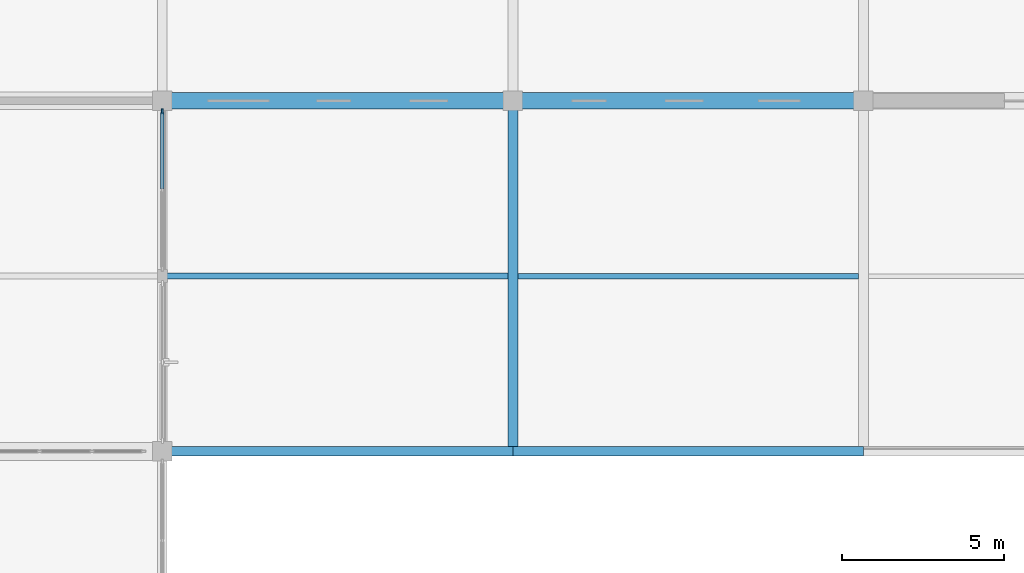
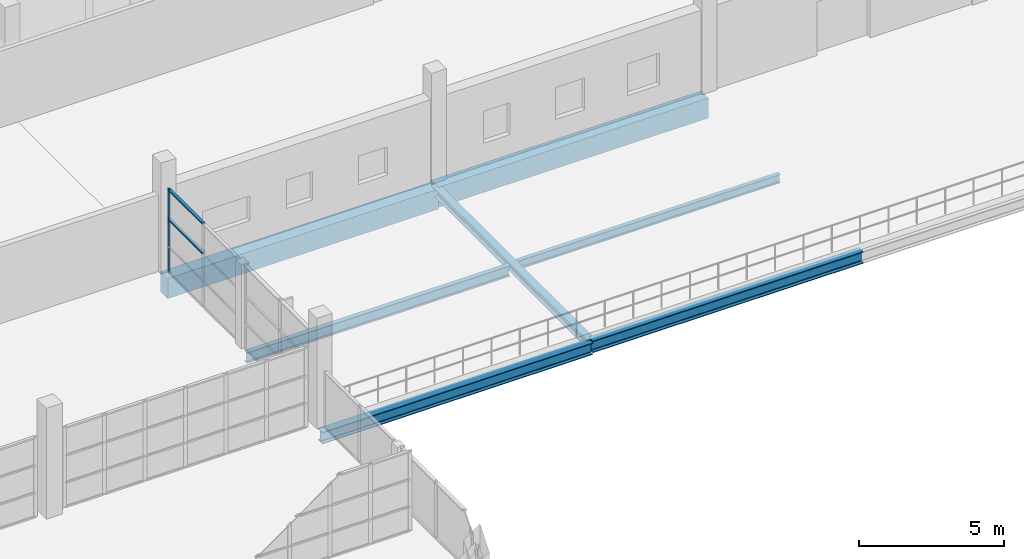
# One storey, part 76 of 142: 7 beams, 3 members, 1 element without a shape of its own.
"""IFC4 building model written with IfcOpenShell, lengths in metres."""

from ifc_helpers import new_model, si_unit, direction, frame, origin, origin_2d, place, context, subcontext, project, spatial, rectangle, i_section, extrude, material, material_profile, profile_set, type_object, element, aggregate, save


model = new_model("IFC4")

# Units and contexts
model_context = context("Model", 3, precision=1e-05, world=origin(), true_north=direction((0.0, 1.0)))
body_context = subcontext(model_context, "Body", "Model", "MODEL_VIEW")
ifc_project = project(units=[si_unit("LENGTHUNIT", "METRE"), si_unit("AREAUNIT", "SQUARE_METRE"), si_unit("VOLUMEUNIT", "CUBIC_METRE"), si_unit("PLANEANGLEUNIT", "RADIAN"), si_unit("MASSUNIT", "GRAM", prefix="KILO")], contexts=[model_context])

# Site, building, storey
site_placement = place(None, origin())
site = spatial("IfcSite", under=ifc_project, at=site_placement, CompositionType="ELEMENT")
building_placement = place(site_placement, origin())
building = spatial("IfcBuilding", under=site, at=building_placement, Name="Zwinboog Wholesale Market", CompositionType="ELEMENT")
storey_placement = place(building_placement, frame((0.0, 0.0, 5.39990234375)))
storey = spatial("IfcBuildingStorey", under=building, at=storey_placement, Name="L01", CompositionType="ELEMENT", Elevation=5.39990234375)

# Beams
ifc_material_1 = material(Name="Precast concrete C45/55", Category="concrete")
ifc_material_profile_1 = material_profile(ifc_material_1, rectangle(XDim=0.5, YDim=0.85009765625, at=origin_2d()), Name="PC 500x850")
ifc_profile_set_1 = profile_set([ifc_material_profile_1], Name="Precast concrete C45/55")
beam_type_1 = type_object("IfcBeamType", Name="BT-03", PredefinedType="BEAM", material=ifc_profile_set_1)
beam_1_placement = place(storey_placement, frame((172.800048828125, 108.0, -0.7568359375), z_axis=(1.0, 0.0, 0.0), x_axis=(0.0, 1.0, 0.0)))
element("IfcBeam", 1, at=beam_1_placement, inside=storey, type_object=beam_type_1, Name="BG-03 (BMG-L01-1728-1080-0557)", PredefinedType="BEAM", context=body_context, shape_type="SweptSolid", body=[
    extrude(rectangle(XDim=0.5, YDim=0.85009765625, at=origin_2d()), origin(), (0.0, 0.0, 1.0), 10.800048828125),
])
beam_2_placement = place(storey_placement, frame((183.60009765625, 108.0, -0.68701171875), z_axis=(1.0, 0.0, 0.0), x_axis=(0.0, 1.0, 0.0)))
element("IfcBeam", 2, at=beam_2_placement, inside=storey, type_object=beam_type_1, Name="BG-03 (BMG-L01-1836-1080-0558)", PredefinedType="BEAM", context=body_context, shape_type="SweptSolid", body=[
    extrude(rectangle(XDim=0.5, YDim=0.85009765625, at=origin_2d()), origin(), (0.0, 0.0, 1.0), 10.7998046875),
])
ifc_material_2 = material(Name="Steel S355", Category="steel")
ifc_material_profile_2 = material_profile(ifc_material_2, i_section(OverallWidth=0.300048828125, OverallDepth=0.5, WebThickness=0.014404296875, FlangeThickness=0.028076171875, FilletRadius=0.027099609375, at=origin_2d()), Name="HEB 500")
ifc_profile_set_2 = profile_set([ifc_material_profile_2], Name="Steel S355")
beam_type_2 = type_object("IfcBeamType", Name="BT-14", PredefinedType="BEAM", material=ifc_profile_set_2)
beam_3_placement = place(storey_placement, frame((172.800048828125, 97.199951171875, -0.581787109375), z_axis=(1.0, 0.0, 0.0), x_axis=(0.0, 1.0, 0.0)))
element("IfcBeam", 3, at=beam_3_placement, inside=storey, type_object=beam_type_2, Name="SB-01 (BM-TER-L01-0053)", PredefinedType="BEAM", context=body_context, shape_type="SweptSolid", body=[
    extrude(i_section(OverallWidth=0.300048828125, OverallDepth=0.5, WebThickness=0.014404296875, FlangeThickness=0.028076171875, FilletRadius=0.027099609375, at=origin_2d()), origin(), (0.0, 0.0, 1.0), 10.800048828125),
])
beam_4_placement = place(storey_placement, frame((183.60009765625, 97.199951171875, -0.511962890625), z_axis=(1.0, 0.0, 0.0), x_axis=(0.0, 1.0, 0.0)))
element("IfcBeam", 4, at=beam_4_placement, inside=storey, type_object=beam_type_2, Name="SB-01 (BM-TER-L01-0054)", PredefinedType="BEAM", context=body_context, shape_type="SweptSolid", body=[
    extrude(i_section(OverallWidth=0.300048828125, OverallDepth=0.5, WebThickness=0.014404296875, FlangeThickness=0.028076171875, FilletRadius=0.027099609375, at=origin_2d()), origin(), (0.0, 0.0, 1.0), 10.7998046875),
])
ifc_material_profile_3 = material_profile(ifc_material_2, i_section(OverallWidth=0.300048828125, OverallDepth=0.35009765625, WebThickness=0.010009765625, FlangeThickness=0.017578125, FilletRadius=0.027099609375, at=origin_2d()), Name="HEA 360")
ifc_profile_set_3 = profile_set([ifc_material_profile_3], Name="Steel S355")
beam_type_3 = type_object("IfcBeamType", Name="BT-17", PredefinedType="BEAM", material=ifc_profile_set_3)
beam_5_placement = place(storey_placement, frame((183.60009765625, 97.199951171875, -0.43701171875), z_axis=(0.0, 1.0, 0.0), x_axis=(-1.0, 0.0, 0.0)))
element("IfcBeam", 5, at=beam_5_placement, inside=storey, type_object=beam_type_3, Name="SB-04 (BM-TER-L01-0061)", PredefinedType="BEAM", context=body_context, shape_type="SweptSolid", body=[
    extrude(i_section(OverallWidth=0.300048828125, OverallDepth=0.35009765625, WebThickness=0.010009765625, FlangeThickness=0.017578125, FilletRadius=0.027099609375, at=origin_2d()), origin(), (0.0, 0.0, 1.0), 10.800048828125),
])
ifc_material_profile_4 = material_profile(ifc_material_2, i_section(OverallWidth=0.18994140625, OverallDepth=0.449951171875, WebThickness=0.009521484375, FlangeThickness=0.0146484375, FilletRadius=0.02099609375, at=origin_2d()), Name="IPE 450")
ifc_profile_set_4 = profile_set([ifc_material_profile_4], Name="Steel S355")
beam_type_4 = type_object("IfcBeamType", Name="BT-19", PredefinedType="JOIST", material=ifc_profile_set_4)
beam_6_placement = place(storey_placement, frame((172.949951171875, 102.60009765625, -0.556884765625), z_axis=(1.0, 0.0, 0.0), x_axis=(0.0, 1.0, 0.0)))
element("IfcBeam", 6, at=beam_6_placement, inside=storey, type_object=beam_type_4, Name="SJ-02 (BM-TER-L01-0069)", PredefinedType="JOIST", context=body_context, shape_type="SweptSolid", body=[
    extrude(i_section(OverallWidth=0.18994140625, OverallDepth=0.449951171875, WebThickness=0.009521484375, FlangeThickness=0.0146484375, FilletRadius=0.02099609375, at=origin_2d()), origin(), (0.0, 0.0, 1.0), 10.5),
])
ifc_material_profile_5 = material_profile(ifc_material_2, i_section(OverallWidth=0.169921875, OverallDepth=0.360107421875, WebThickness=0.008056640625, FlangeThickness=0.0126953125, FilletRadius=0.01806640625, at=origin_2d()), Name="IPE 360")
ifc_profile_set_5 = profile_set([ifc_material_profile_5], Name="Steel S355")
beam_type_5 = type_object("IfcBeamType", Name="BT-20", PredefinedType="JOIST", material=ifc_profile_set_5)
beam_7_placement = place(storey_placement, frame((183.75, 102.60009765625, -0.44189453125), z_axis=(1.0, 0.0, 0.0), x_axis=(0.0, 1.0, 0.0)))
element("IfcBeam", 7, at=beam_7_placement, inside=storey, type_object=beam_type_5, Name="SJ-03 (BM-TER-L01-0070)", PredefinedType="JOIST", context=body_context, shape_type="SweptSolid", body=[
    extrude(i_section(OverallWidth=0.169921875, OverallDepth=0.360107421875, WebThickness=0.008056640625, FlangeThickness=0.0126953125, FilletRadius=0.01806640625, at=origin_2d()), origin(), (0.0, 0.0, 1.0), 10.5),
])

# Curtain wall, members
ifc_material_3 = material(Name="Aluminium thermally broken curtain wall", Category="aluminium")
curtain_wall_type = type_object("IfcCurtainWallType", Name="CWT-GAL-16", PredefinedType="USERDEFINED", material=ifc_material_3)
curtain_wall_placement = place(storey_placement, origin())
curtain_wall = element("IfcCurtainWall", 8, at=curtain_wall_placement, inside=storey, type_object=curtain_wall_type, Name="CW-04 (CW-L01-142)", ObjectType="UNITIZED_CURTAIN_WALL", PredefinedType="USERDEFINED")
ifc_material_4 = material(Name="Aluminium EN AW-6060", Category="aluminium")
ifc_material_profile_6 = material_profile(ifc_material_4, rectangle(XDim=0.06005859375, YDim=0.14990234375, at=origin_2d()), Name="AL 60x150")
ifc_profile_set_6 = profile_set([ifc_material_profile_6], Name="Aluminium EN AW-6060")
member_type_1 = type_object("IfcMemberType", Name="CWM-60x150", PredefinedType="MULLION", material=ifc_profile_set_6)
member_1_placement = place(storey_placement, frame((172.800048828125, 107.675048828125, 0.0), z_axis=(0.0, 0.0, 1.0), x_axis=(-1.0, 0.0, 0.0)))
member_1 = element("IfcMember", 9, at=member_1_placement, type_object=member_type_1, Name="CW-04 mullion 3", PredefinedType="MULLION", context=body_context, shape_type="SweptSolid", body=[
    extrude(rectangle(XDim=0.06005859375, YDim=0.14990234375, at=origin_2d()), origin(), (0.0, 0.0, 1.0), 3.530029296875),
])
ifc_material_profile_7 = material_profile(ifc_material_4, rectangle(XDim=0.110107421875, YDim=0.06005859375, at=origin_2d()), Name="AL 60x110")
ifc_profile_set_7 = profile_set([ifc_material_profile_7], Name="Aluminium EN AW-6060")
member_type_2 = type_object("IfcMemberType", Name="CWT-60x110", PredefinedType="USERDEFINED", material=ifc_profile_set_7)
member_2_placement = place(storey_placement, frame((172.800048828125, 105.282470703125, 2.25), z_axis=(0.0, 1.0, 0.0), x_axis=(-1.0, 0.0, 0.0)))
member_2 = element("IfcMember", 10, at=member_2_placement, type_object=member_type_2, Name="CW-04 transom 2.3", ObjectType="TRANSOM", PredefinedType="USERDEFINED", context=body_context, shape_type="SweptSolid", body=[
    extrude(rectangle(XDim=0.110107421875, YDim=0.06005859375, at=origin_2d()), origin(), (0.0, 0.0, 1.0), 2.362548828125),
])
member_3_placement = place(storey_placement, frame((172.800048828125, 105.282470703125, 3.5), z_axis=(0.0, 1.0, 0.0), x_axis=(-1.0, 0.0, 0.0)))
member_3 = element("IfcMember", 11, at=member_3_placement, type_object=member_type_2, Name="CW-04 transom 2.4", ObjectType="TRANSOM", PredefinedType="USERDEFINED", context=body_context, shape_type="SweptSolid", body=[
    extrude(rectangle(XDim=0.110107421875, YDim=0.06005859375, at=origin_2d()), origin(), (0.0, 0.0, 1.0), 2.362548828125),
])
aggregate(curtain_wall, [member_1, member_2, member_3])

save(model, "model.ifc")
